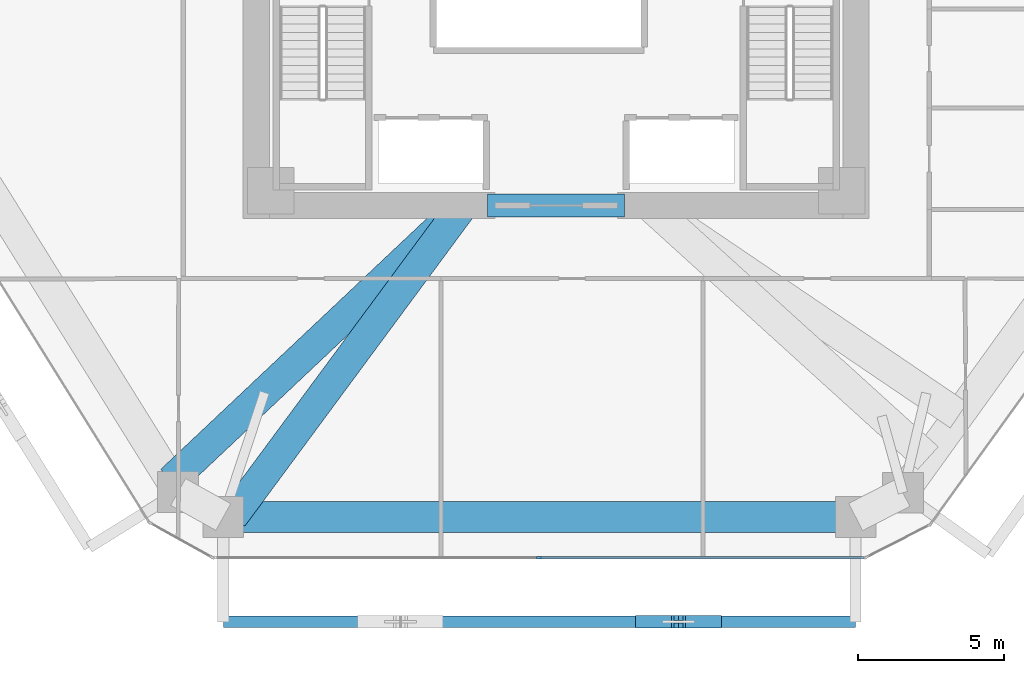
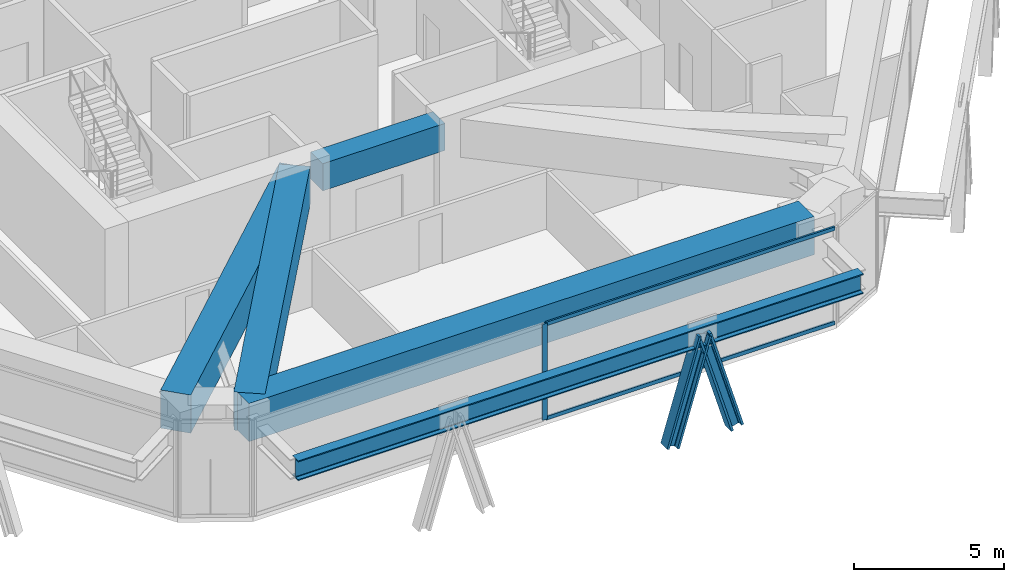
# One storey, part 3 of 16: 5 beams, 5 members, 1 element without a shape of its own.
"""IFC4 building model written with IfcOpenShell, lengths in metres."""

from ifc_helpers import new_model, si_unit, direction, frame, origin, origin_2d, place, context, subcontext, project, spatial, rectangle, i_section, extrude, source, transform, mapped, material, layer, layer_set, material_profile, profile_set, type_object, type_shapes, element, aggregate, save


model = new_model("IFC4")

# Units and contexts
model_context = context("Model", 3, precision=1e-05, world=origin(), true_north=direction((0.0, 1.0)))
body_context = subcontext(model_context, "Body", "Model", "MODEL_VIEW")
ifc_project = project(units=[si_unit("LENGTHUNIT", "METRE"), si_unit("AREAUNIT", "SQUARE_METRE"), si_unit("VOLUMEUNIT", "CUBIC_METRE"), si_unit("PLANEANGLEUNIT", "RADIAN"), si_unit("MASSUNIT", "GRAM", prefix="KILO")], contexts=[model_context])

# Site, building, storey
site_placement = place(None, origin())
site = spatial("IfcSite", under=ifc_project, at=site_placement, CompositionType="ELEMENT")
building_placement = place(site_placement, origin())
building = spatial("IfcBuilding", under=site, at=building_placement, Name="Durnholm Broadcast Tower", CompositionType="ELEMENT")
storey_placement = place(building_placement, frame((0.0, 0.0, 84.300048828125)))
storey = spatial("IfcBuildingStorey", under=building, at=storey_placement, Name="L22", CompositionType="ELEMENT", Elevation=84.300048828125)

# Beams
ifc_material_1 = material(Name="Steel ASTM A992 Grade 50", Category="steel")
ifc_material_profile_1 = material_profile(ifc_material_1, i_section(OverallWidth=0.385009765625, OverallDepth=0.802978515625, WebThickness=0.023681640625, FlangeThickness=0.0419921875, FilletRadius=0.032958984375, at=origin_2d()), Name="W30X261")
ifc_profile_set_1 = profile_set([ifc_material_profile_1], Name="Steel ASTM A992 Grade 50")
beam_type_1 = type_object("IfcBeamType", Name="BM-EXO-TIE", PredefinedType="USERDEFINED", material=ifc_profile_set_1)
shared_shape_1 = source(origin(), body_context, "Body", "SweptSolid", [
    extrude(i_section(OverallWidth=0.385009765625, OverallDepth=0.802978515625, WebThickness=0.023681640625, FlangeThickness=0.0419921875, FilletRadius=0.032958984375, at=origin_2d()), origin(), (0.0, 0.0, 1.0), 21.7138671875),
])
type_shapes(beam_type_1, [shared_shape_1])
beam_1_placement = place(storey_placement, frame((-11.43115234375, -22.60009765625, 3.1484375), z_axis=(1.0, 0.0, 0.0), x_axis=(0.0, 1.0, 0.0)))
element("IfcBeam", 1, at=beam_1_placement, inside=storey, type_object=beam_type_1, Name="L22 exoskeleton collector spandrel F1", PredefinedType="SPANDREL", context=body_context, shape_type="MappedRepresentation", body=[
    mapped(shared_shape_1, transform((0.0, 0.0, 0.0), x_axis=(1.0, 0.0, 0.0), y_axis=(0.0, 1.0, 0.0), z_axis=(0.0, 0.0, 1.0), scale=1.0)),
])
ifc_material_2 = material(Name="Concrete C70/85", Category="concrete")
ifc_material_profile_2 = material_profile(ifc_material_2, rectangle(XDim=0.800048828125, YDim=1.10009765625, at=origin_2d()), Name="RC800X1100")
ifc_profile_set_2 = profile_set([ifc_material_profile_2], Name="Concrete C70/85")
beam_type_2 = type_object("IfcBeamType", Name="BM-CB-RC1100", PredefinedType="LINTEL", material=ifc_profile_set_2)
shared_shape_2 = source(origin(), body_context, "Body", "SweptSolid", [
    extrude(rectangle(XDim=0.800048828125, YDim=1.10009765625, at=origin_2d()), origin(), (0.0, 0.0, 1.0), 4.7001953125),
])
type_shapes(beam_type_2, [shared_shape_2])
beam_2_placement = place(storey_placement, frame((-2.35009765625, -8.300048828125, 3.344970703125), z_axis=(1.0, 0.0, 0.0), x_axis=(0.0, 1.0, 0.0)))
element("IfcBeam", 2, at=beam_2_placement, inside=storey, type_object=beam_type_2, Name="L22 south core coupling lintel beam CB-S", PredefinedType="LINTEL", context=body_context, shape_type="MappedRepresentation", body=[
    mapped(shared_shape_2, transform((0.0, 0.0, 0.0), x_axis=(1.0, 0.0, 0.0), y_axis=(0.0, 1.0, 0.0), z_axis=(0.0, 0.0, 1.0), scale=1.0)),
])
ifc_material_profile_3 = material_profile(ifc_material_2, rectangle(XDim=1.050048828125, YDim=1.550048828125, at=origin_2d()), Name="RC1050X1550")
ifc_profile_set_3 = profile_set([ifc_material_profile_3], Name="Concrete C70/85")
beam_type_3 = type_object("IfcBeamType", Name="BM-TG-RC1550", PredefinedType="USERDEFINED", material=ifc_profile_set_3)
shared_shape_3 = source(origin(), body_context, "Body", "SweptSolid", [
    extrude(rectangle(XDim=1.050048828125, YDim=1.550048828125, at=origin_2d()), origin(), (0.0, 0.0, 1.0), 21.7138671875),
])
beam_3_placement = place(storey_placement, frame((10.28271484375, -19.0, 3.125), z_axis=(-1.0, 0.0, 0.0), x_axis=(0.0, -1.0, 0.0)))
element("IfcBeam", 3, at=beam_3_placement, inside=storey, type_object=beam_type_3, Name="L22 perimeter transfer spandrel girder 11", PredefinedType="SPANDREL", context=body_context, shape_type="MappedRepresentation", body=[
    mapped(shared_shape_3, transform((0.0, 0.0, 0.0), x_axis=(1.0, 0.0, 0.0), y_axis=(0.0, 1.0, 0.0), z_axis=(0.0, 0.0, 1.0), scale=1.0)),
])
shared_shape_4 = source(origin(), body_context, "Body", "SweptSolid", [
    extrude(rectangle(XDim=1.050048828125, YDim=1.550048828125, at=origin_2d()), origin(), (0.0, 0.0, 1.0), 13.776611328125),
])
beam_4_placement = place(storey_placement, frame((-3.199951171875, -8.300048828125, 3.125), z_axis=(-0.72767431608, -0.685922801573, 0.0), x_axis=(0.685922801573, -0.72767431608, 0.0)))
element("IfcBeam", 4, at=beam_4_placement, inside=storey, type_object=beam_type_3, Name="L22 radial setback transfer girder 01", ObjectType="GIRDER", PredefinedType="USERDEFINED", context=body_context, shape_type="MappedRepresentation", body=[
    mapped(shared_shape_4, transform((0.0, 0.0, 0.0), x_axis=(1.0, 0.0, 0.0), y_axis=(0.0, 1.0, 0.0), z_axis=(0.0, 0.0, 1.0), scale=1.0)),
])
shared_shape_5 = source(origin(), body_context, "Body", "SweptSolid", [
    extrude(rectangle(XDim=1.050048828125, YDim=1.550048828125, at=origin_2d()), origin(), (0.0, 0.0, 1.0), 13.307861328125),
])
type_shapes(beam_type_3, [shared_shape_3, shared_shape_4, shared_shape_5])
beam_5_placement = place(storey_placement, frame((-3.199951171875, -8.300048828125, 3.125), z_axis=(-0.594594277358, -0.804025898422, 0.0), x_axis=(0.804025898422, -0.594594277358, 0.0)))
element("IfcBeam", 5, at=beam_5_placement, inside=storey, type_object=beam_type_3, Name="L22 radial setback transfer girder 12", ObjectType="GIRDER", PredefinedType="USERDEFINED", context=body_context, shape_type="MappedRepresentation", body=[
    mapped(shared_shape_5, transform((0.0, 0.0, 0.0), x_axis=(1.0, 0.0, 0.0), y_axis=(0.0, 1.0, 0.0), z_axis=(0.0, 0.0, 1.0), scale=1.0)),
])

# Members
ifc_material_3 = material(Name="Steel ASTM A913 Grade 65", Category="steel")
ifc_material_profile_4 = material_profile(ifc_material_3, i_section(OverallWidth=0.43212890625, OverallDepth=0.497802734375, WebThickness=0.0556640625, FlangeThickness=0.0888671875, FilletRadius=0.030517578125, at=origin_2d()), Name="W14X500")
ifc_profile_set_4 = profile_set([ifc_material_profile_4], Name="Steel ASTM A913 Grade 65")
member_type_1 = type_object("IfcMemberType", Name="STL-DG-W14X500", PredefinedType="BRACE", material=ifc_profile_set_4)
shared_shape_6 = source(origin(), body_context, "Body", "SweptSolid", [
    extrude(i_section(OverallWidth=0.43212890625, OverallDepth=0.497802734375, WebThickness=0.0556640625, FlangeThickness=0.0888671875, FilletRadius=0.030517578125, at=origin_2d()), origin(), (0.0, 0.0, 1.0), 4.31982421875),
])
type_shapes(member_type_1, [shared_shape_6])
for number, where, z_axis, x_axis, name in (
    (6, (2.968994140625, -22.60009765625, -0.991455078125), (0.285631208426, 0.0, 0.958339612441), (0.0, 1.0, 0.0), "L22 stand-off diagrid brace F1.D2.1"),
    (7, (5.436767578125, -22.60009765625, -0.991455078125), (-0.285631208426, 0.0, 0.958339612441), (0.0, -1.0, 0.0), "L22 stand-off diagrid brace F1.D2.2"),
):
    element("IfcMember", number, at=place(storey_placement, frame(where, z_axis=z_axis, x_axis=x_axis)), inside=storey, type_object=member_type_1, Name=name, PredefinedType="BRACE", context=body_context, shape_type="MappedRepresentation", body=[
        mapped(shared_shape_6, transform((0.0, 0.0, 0.0), x_axis=(1.0, 0.0, 0.0), y_axis=(0.0, 1.0, 0.0), z_axis=(0.0, 0.0, 1.0), scale=1.0)),
    ])

# Curtain wall, members
ifc_material_4 = material(Name="Aluminium and Solar Control IGU", Category="aluminium")
ifc_layer = layer(ifc_material_4, 0.18994140625)
ifc_layer_set = layer_set([ifc_layer], Name="Aluminium and Solar Control IGU")
curtain_wall_type = type_object("IfcCurtainWallType", Name="CW-SYS-3", PredefinedType="NOTDEFINED", material=ifc_layer_set)
curtain_wall_placement = place(storey_placement, origin())
curtain_wall = element("IfcCurtainWall", 8, at=curtain_wall_placement, inside=storey, type_object=curtain_wall_type, Name="L22 curtain wall CW-Z12-VIS CW-L22-F10", PredefinedType="NOTDEFINED")
ifc_material_5 = material(Name="Aluminium 6063-T6", Category="aluminium")
ifc_material_profile_5 = material_profile(ifc_material_5, rectangle(XDim=0.070068359375, YDim=0.14990234375, at=origin_2d()), Name="CWT70X150")
ifc_profile_set_5 = profile_set([ifc_material_profile_5], Name="Aluminium 6063-T6")
member_type_2 = type_object("IfcMemberType", Name="CW-SYS-3-TRN", PredefinedType="USERDEFINED", material=ifc_profile_set_5)
shared_shape_7 = source(origin(), body_context, "Body", "SweptSolid", [
    extrude(rectangle(XDim=0.070068359375, YDim=0.14990234375, at=origin_2d()), origin(), (0.0, 0.0, 1.0), 11.10205078125),
])
type_shapes(member_type_2, [shared_shape_7])
member_1_placement = place(storey_placement, frame((10.55029296875, -20.39990234375, 0.034912109375), z_axis=(-1.0, 0.0, 0.0), x_axis=(0.0, -1.0, 0.0)))
member_1 = element("IfcMember", 9, at=member_1_placement, type_object=member_type_2, Name="CW-Z12-VIS transom 1.1", ObjectType="TRANSOM", PredefinedType="USERDEFINED", context=body_context, shape_type="MappedRepresentation", body=[
    mapped(shared_shape_7, transform((0.0, 0.0, 0.0), x_axis=(1.0, 0.0, 0.0), y_axis=(0.0, 1.0, 0.0), z_axis=(0.0, 0.0, 1.0), scale=1.0)),
])
member_2_placement = place(storey_placement, frame((10.55029296875, -20.39990234375, 3.864990234375), z_axis=(-1.0, 0.0, 0.0), x_axis=(0.0, -1.0, 0.0)))
member_2 = element("IfcMember", 10, at=member_2_placement, type_object=member_type_2, Name="CW-Z12-VIS transom 1.2", ObjectType="TRANSOM", PredefinedType="USERDEFINED", context=body_context, shape_type="MappedRepresentation", body=[
    mapped(shared_shape_7, transform((0.0, 0.0, 0.0), x_axis=(1.0, 0.0, 0.0), y_axis=(0.0, 1.0, 0.0), z_axis=(0.0, 0.0, 1.0), scale=1.0)),
])
ifc_material_profile_6 = material_profile(ifc_material_5, rectangle(XDim=0.070068359375, YDim=0.18994140625, at=origin_2d()), Name="CWM70X190")
ifc_profile_set_6 = profile_set([ifc_material_profile_6], Name="Aluminium 6063-T6")
member_type_3 = type_object("IfcMemberType", Name="CW-SYS-3-MUL", PredefinedType="MULLION", material=ifc_profile_set_6)
shared_shape_8 = source(origin(), body_context, "Body", "SweptSolid", [
    extrude(rectangle(XDim=0.070068359375, YDim=0.18994140625, at=origin_2d()), origin(), (0.0, 0.0, 1.0), 3.89990234375),
])
type_shapes(member_type_3, [shared_shape_8])
member_3_placement = place(storey_placement, frame((-0.5869140625, -20.39990234375, 0.0), z_axis=(0.0, 0.0, 1.0), x_axis=(0.0, -1.0, 0.0)))
member_3 = element("IfcMember", 11, at=member_3_placement, type_object=member_type_3, Name="CW-Z12-VIS mullion 2", PredefinedType="MULLION", context=body_context, shape_type="MappedRepresentation", body=[
    mapped(shared_shape_8, transform((0.0, 0.0, 0.0), x_axis=(1.0, 0.0, 0.0), y_axis=(0.0, 1.0, 0.0), z_axis=(0.0, 0.0, 1.0), scale=1.0)),
])
aggregate(curtain_wall, [member_3, member_1, member_2])

save(model, "model.ifc")
